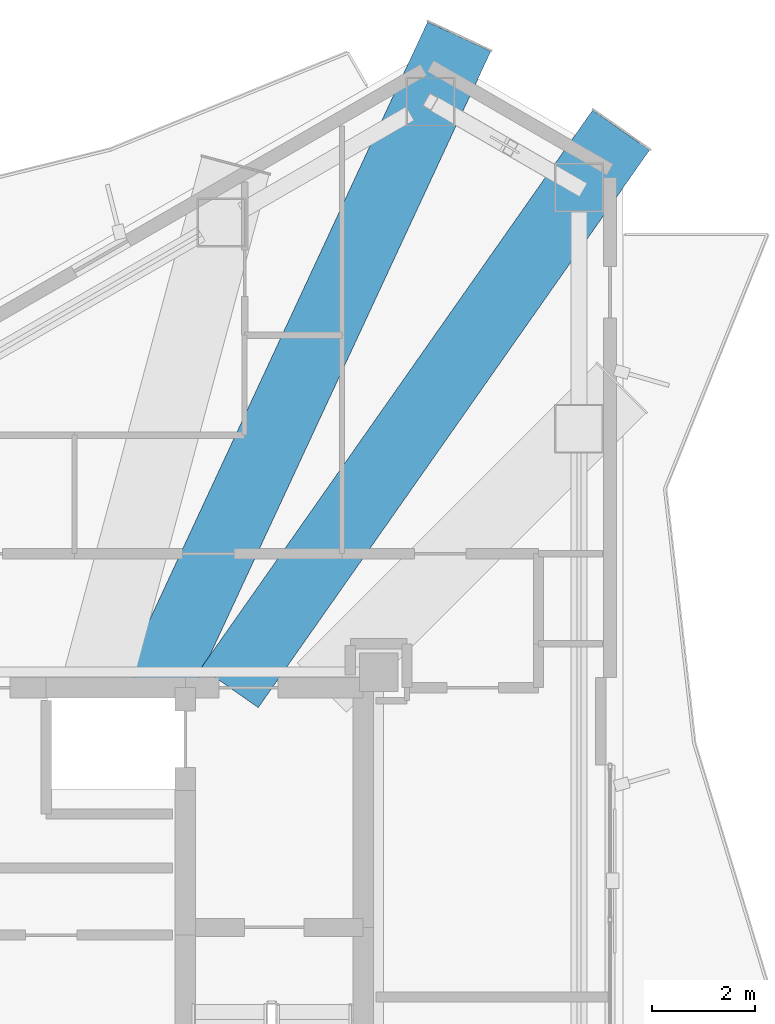
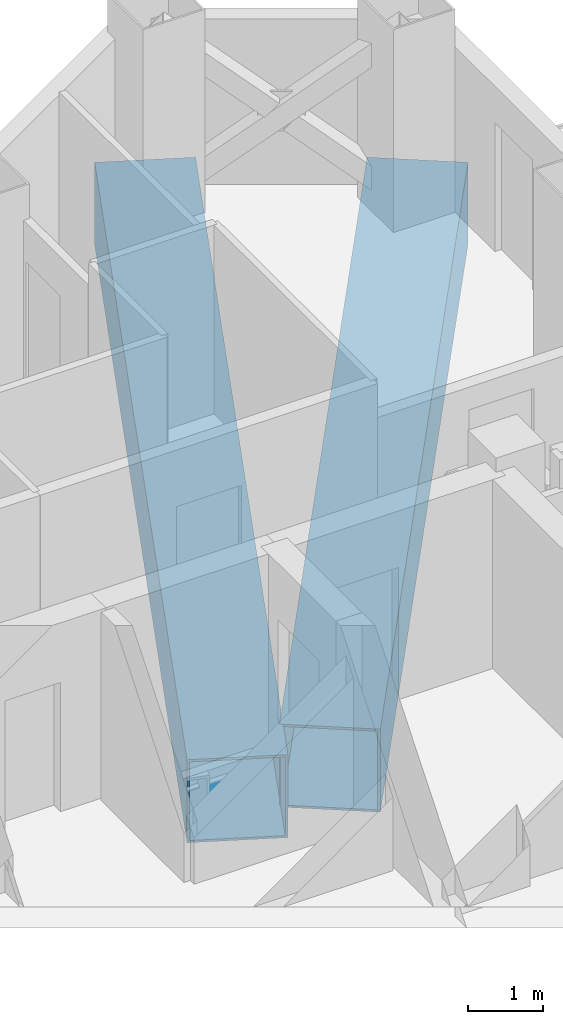
# One storey, part 11 of 19: 2 beams.
"""IFC4 building model written with IfcOpenShell, lengths in metres."""

from ifc_helpers import new_model, si_unit, direction, frame, origin, origin_2d, place, context, subcontext, project, spatial, hollow_rectangle, extrude, material, material_profile, profile_set, type_object, element, save


model = new_model("IFC4")

# Units and contexts
model_context = context("Model", 3, precision=1e-05, world=origin(), true_north=direction((0.0, 1.0)))
body_context = subcontext(model_context, "Body", "Model", "MODEL_VIEW")
ifc_project = project(units=[si_unit("LENGTHUNIT", "METRE"), si_unit("AREAUNIT", "SQUARE_METRE"), si_unit("VOLUMEUNIT", "CUBIC_METRE"), si_unit("PLANEANGLEUNIT", "RADIAN"), si_unit("MASSUNIT", "GRAM", prefix="KILO")], contexts=[model_context])

# Site, building, storey
site_placement = place(None, origin())
site = spatial("IfcSite", under=ifc_project, at=site_placement, CompositionType="ELEMENT")
building_placement = place(site_placement, origin())
building = spatial("IfcBuilding", under=site, at=building_placement, Name="Mersakhor Tower and Convention Hall", CompositionType="ELEMENT")
storey_placement = place(building_placement, frame((0.0, 0.0, 175.5)))
storey = spatial("IfcBuildingStorey", under=building, at=storey_placement, Name="L48", CompositionType="ELEMENT", Elevation=175.5)

# Beams
ifc_material = material(Name="Steel S460", Category="steel")
ifc_material_profile = material_profile(ifc_material, hollow_rectangle(XDim=1.35009765625, YDim=1.35009765625, WallThickness=0.035888671875, at=origin_2d()), Name="SHS 1350x1350x36")
ifc_profile_set = profile_set([ifc_material_profile], Name="Steel S460")
beam_type = type_object("IfcBeamType", Name="BM-TR-BOX1350", PredefinedType="BEAM", material=ifc_profile_set)
beam_1_placement = place(storey_placement, frame((37.662353515625, 45.381103515625, -0.905029296875), z_axis=(-0.421605081705, -0.906779551534, 0.0), x_axis=(0.906779551534, -0.421605081705, 0.0)))
element("IfcBeam", 1, at=beam_1_placement, inside=storey, type_object=beam_type, Name="L48 Taper Step Transfer Girder STG-04", PredefinedType="BEAM", context=body_context, shape_type="SweptSolid", body=[
    extrude(hollow_rectangle(XDim=1.35009765625, YDim=1.35009765625, WallThickness=0.035888671875, at=origin_2d()), origin(), (0.0, 0.0, 1.0), 13.9296875),
])
beam_2_placement = place(storey_placement, frame((40.8037109375, 43.5673828125, -0.905029296875), z_axis=(-0.574495886977, -0.818507468412, 0.0), x_axis=(0.818507468412, -0.574495886977, 0.0)))
element("IfcBeam", 2, at=beam_2_placement, inside=storey, type_object=beam_type, Name="L48 Taper Step Transfer Girder STG-05", PredefinedType="BEAM", context=body_context, shape_type="SweptSolid", body=[
    extrude(hollow_rectangle(XDim=1.35009765625, YDim=1.35009765625, WallThickness=0.035888671875, at=origin_2d()), origin(), (0.0, 0.0, 1.0), 13.216064453125),
])

save(model, "model.ifc")
